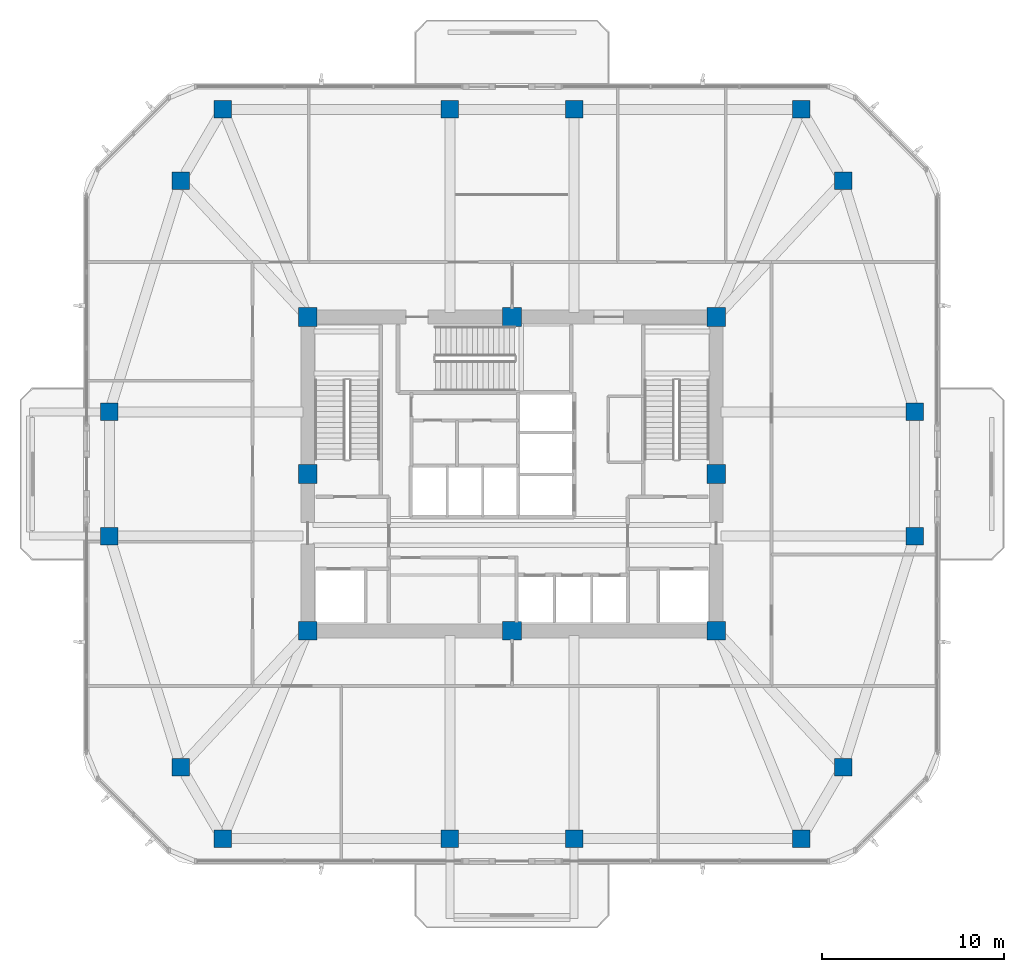
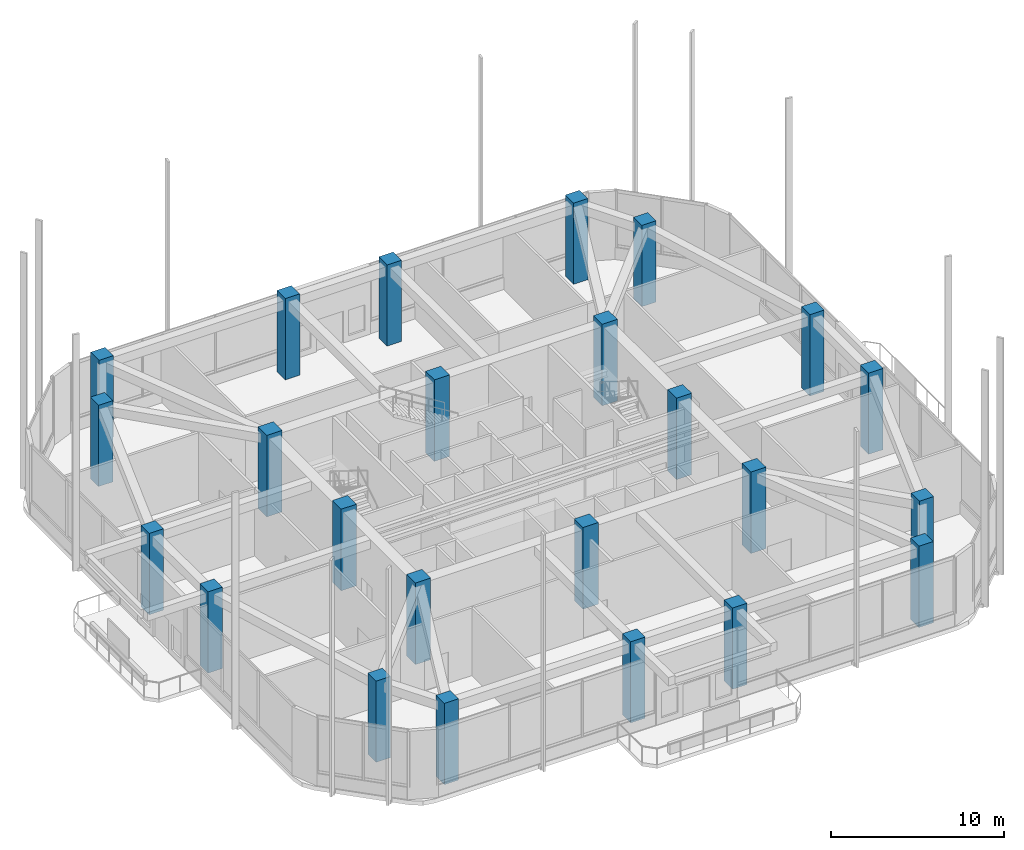
# One storey, part 1 of 12: 24 columns.
"""IFC4 building model written with IfcOpenShell, lengths in metres."""

from ifc_helpers import new_model, si_unit, derived_unit, direction, frame, origin, origin_2d, place, context, subcontext, project, spatial, rectangle, extrude, material, material_profile, profile_set, type_object, element, save


model = new_model("IFC4")

# Units and contexts
model_context = context("Model", 3, precision=1e-05, world=origin(), true_north=direction((0.0, 1.0)))
body_context = subcontext(model_context, "Body", "Model", "MODEL_VIEW")
ifc_project = project(units=[si_unit("LENGTHUNIT", "METRE"), si_unit("AREAUNIT", "SQUARE_METRE"), si_unit("VOLUMEUNIT", "CUBIC_METRE"), si_unit("PLANEANGLEUNIT", "RADIAN"), si_unit("MASSUNIT", "GRAM", prefix="KILO"), derived_unit("THERMALTRANSMITTANCEUNIT", [(si_unit("POWERUNIT", "WATT"), 1), (si_unit("LENGTHUNIT", "METRE"), -2), (si_unit("THERMODYNAMICTEMPERATUREUNIT", "KELVIN"), -1)])], contexts=[model_context])

# Site, building, storey
site_placement = place(None, origin())
site = spatial("IfcSite", under=ifc_project, at=site_placement, CompositionType="ELEMENT")
building_placement = place(site_placement, origin())
building = spatial("IfcBuilding", under=site, at=building_placement, Name="Koralith Skygarden Medical Center", CompositionType="ELEMENT")
storey_placement = place(building_placement, frame((0.0, 0.0, 129.06005859375)))
storey = spatial("IfcBuildingStorey", under=building, at=storey_placement, Name="L33", CompositionType="ELEMENT", Elevation=129.06005859375)

# Columns
ifc_material_1 = material(Name="Concrete C70/85", Category="concrete")
ifc_material_profile_1 = material_profile(ifc_material_1, rectangle(XDim=1.02001953125, YDim=1.02001953125, at=origin_2d()), Name="RC1020X1020")
ifc_profile_set_1 = profile_set([ifc_material_profile_1], Name="Concrete C70/85")
column_type_1 = type_object("IfcColumnType", Name="Core Mega-Column C70 RC1020", PredefinedType="COLUMN", material=ifc_profile_set_1)
for number, where, z_axis, x_axis, name in (
    (1, (25.800048828125, 17.300048828125, 0.0), (0.0, 0.0, 1.0), (1.0, 0.0, 0.0), "L33 Core Column CC-01"),
    (2, (37.0, 17.300048828125, 0.0), (0.0, 0.0, 1.0), (1.0, 0.0, 0.0), "L33 Core Column CC-02"),
    (3, (48.199951171875, 17.300048828125, 0.0), (0.0, 0.0, 1.0), (1.0, 0.0, 0.0), "L33 Core Column CC-03"),
    (4, (48.199951171875, 25.89990234375, 0.0), (0.0, 0.0, 1.0), (1.0, 0.0, 0.0), "L33 Core Column CC-04"),
    (5, (48.199951171875, 34.5, 0.0), (0.0, 0.0, 1.0), (1.0, 0.0, 0.0), "L33 Core Column CC-05"),
    (6, (37.0, 34.5, 0.0), (0.0, 0.0, 1.0), (1.0, 0.0, 0.0), "L33 Core Column CC-06"),
    (7, (25.800048828125, 34.5, 0.0), (0.0, 0.0, 1.0), (1.0, 0.0, 0.0), "L33 Core Column CC-07"),
    (8, (25.800048828125, 25.89990234375, 0.0), (0.0, 0.0, 1.0), (1.0, 0.0, 0.0), "L33 Core Column CC-08"),
):
    element("IfcColumn", number, at=place(storey_placement, frame(where, z_axis=z_axis, x_axis=x_axis)), inside=storey, type_object=column_type_1, Name=name, PredefinedType="COLUMN", context=body_context, shape_type="SweptSolid", body=[
        extrude(rectangle(XDim=1.02001953125, YDim=1.02001953125, at=origin_2d()), origin(), (0.0, 0.0, 1.0), 5.760009765625),
    ])
ifc_material_2 = material(Name="Concrete C55/67", Category="concrete")
ifc_material_profile_2 = material_profile(ifc_material_2, rectangle(XDim=0.9599609375, YDim=0.9599609375, at=origin_2d()), Name="RC960X960")
ifc_profile_set_2 = profile_set([ifc_material_profile_2], Name="Concrete C55/67")
column_type_2 = type_object("IfcColumnType", Name="Zone 3 Waist Mega-Column C55 RC960", PredefinedType="COLUMN", material=ifc_profile_set_2)
column_1_placement = place(storey_placement, frame((14.93603515625, 22.5, 0.02099609375), z_axis=(0.0, 0.0, 1.0), x_axis=(1.0, 0.0, 0.0)))
element("IfcColumn", 9, at=column_1_placement, inside=storey, type_object=column_type_2, Name="L33 Perimeter Mega-Column MC-01", PredefinedType="COLUMN", context=body_context, shape_type="SweptSolid", body=[
    extrude(rectangle(XDim=0.9599609375, YDim=0.9599609375, at=origin_2d()), origin(), (0.0, 0.0, 1.0), 5.739013671875),
])
for number, where, z_axis, x_axis, name in (
    (10, (18.85595703125, 9.840087890625, 0.0234375), (0.0, 0.0, 1.0), (1.0, 0.0, 0.0), "L33 Perimeter Mega-Column MC-02"),
    (11, (21.14794921875, 5.919921875, 0.0234375), (0.0, 0.0, 1.0), (1.0, 0.0, 0.0), "L33 Perimeter Mega-Column MC-03"),
):
    element("IfcColumn", number, at=place(storey_placement, frame(where, z_axis=z_axis, x_axis=x_axis)), inside=storey, type_object=column_type_2, Name=name, PredefinedType="COLUMN", context=body_context, shape_type="SweptSolid", body=[
        extrude(rectangle(XDim=0.9599609375, YDim=0.9599609375, at=origin_2d()), origin(), (0.0, 0.0, 1.0), 5.736572265625),
    ])
for number, where, z_axis, x_axis, name in (
    (12, (33.60009765625, 5.919921875, 0.02099609375), (0.0, 0.0, 1.0), (1.0, 0.0, 0.0), "L33 Perimeter Mega-Column MC-04"),
    (13, (40.39990234375, 5.919921875, 0.02099609375), (0.0, 0.0, 1.0), (1.0, 0.0, 0.0), "L33 Perimeter Mega-Column MC-05"),
):
    element("IfcColumn", number, at=place(storey_placement, frame(where, z_axis=z_axis, x_axis=x_axis)), inside=storey, type_object=column_type_2, Name=name, PredefinedType="COLUMN", context=body_context, shape_type="SweptSolid", body=[
        extrude(rectangle(XDim=0.9599609375, YDim=0.9599609375, at=origin_2d()), origin(), (0.0, 0.0, 1.0), 5.739013671875),
    ])
for number, where, z_axis, x_axis, name in (
    (14, (52.85205078125, 5.919921875, 0.0234375), (0.0, 0.0, 1.0), (1.0, 0.0, 0.0), "L33 Perimeter Mega-Column MC-06"),
    (15, (55.14404296875, 9.840087890625, 0.0234375), (0.0, 0.0, 1.0), (1.0, 0.0, 0.0), "L33 Perimeter Mega-Column MC-07"),
):
    element("IfcColumn", number, at=place(storey_placement, frame(where, z_axis=z_axis, x_axis=x_axis)), inside=storey, type_object=column_type_2, Name=name, PredefinedType="COLUMN", context=body_context, shape_type="SweptSolid", body=[
        extrude(rectangle(XDim=0.9599609375, YDim=0.9599609375, at=origin_2d()), origin(), (0.0, 0.0, 1.0), 5.736572265625),
    ])
for number, where, z_axis, x_axis, name in (
    (16, (59.06396484375, 22.5, 0.02099609375), (0.0, 0.0, 1.0), (1.0, 0.0, 0.0), "L33 Perimeter Mega-Column MC-08"),
    (17, (59.06396484375, 29.300048828125, 0.02099609375), (0.0, 0.0, 1.0), (1.0, 0.0, 0.0), "L33 Perimeter Mega-Column MC-09"),
):
    element("IfcColumn", number, at=place(storey_placement, frame(where, z_axis=z_axis, x_axis=x_axis)), inside=storey, type_object=column_type_2, Name=name, PredefinedType="COLUMN", context=body_context, shape_type="SweptSolid", body=[
        extrude(rectangle(XDim=0.9599609375, YDim=0.9599609375, at=origin_2d()), origin(), (0.0, 0.0, 1.0), 5.739013671875),
    ])
for number, where, z_axis, x_axis, name in (
    (18, (55.14404296875, 41.9599609375, 0.0234375), (0.0, 0.0, 1.0), (1.0, 0.0, 0.0), "L33 Perimeter Mega-Column MC-10"),
    (19, (52.85205078125, 45.8798828125, 0.0234375), (0.0, 0.0, 1.0), (1.0, 0.0, 0.0), "L33 Perimeter Mega-Column MC-11"),
):
    element("IfcColumn", number, at=place(storey_placement, frame(where, z_axis=z_axis, x_axis=x_axis)), inside=storey, type_object=column_type_2, Name=name, PredefinedType="COLUMN", context=body_context, shape_type="SweptSolid", body=[
        extrude(rectangle(XDim=0.9599609375, YDim=0.9599609375, at=origin_2d()), origin(), (0.0, 0.0, 1.0), 5.736572265625),
    ])
for number, where, z_axis, x_axis, name in (
    (20, (40.39990234375, 45.8798828125, 0.02099609375), (0.0, 0.0, 1.0), (1.0, 0.0, 0.0), "L33 Perimeter Mega-Column MC-12"),
    (21, (33.60009765625, 45.8798828125, 0.02099609375), (0.0, 0.0, 1.0), (1.0, 0.0, 0.0), "L33 Perimeter Mega-Column MC-13"),
):
    element("IfcColumn", number, at=place(storey_placement, frame(where, z_axis=z_axis, x_axis=x_axis)), inside=storey, type_object=column_type_2, Name=name, PredefinedType="COLUMN", context=body_context, shape_type="SweptSolid", body=[
        extrude(rectangle(XDim=0.9599609375, YDim=0.9599609375, at=origin_2d()), origin(), (0.0, 0.0, 1.0), 5.739013671875),
    ])
for number, where, z_axis, x_axis, name in (
    (22, (21.14794921875, 45.8798828125, 0.0234375), (0.0, 0.0, 1.0), (1.0, 0.0, 0.0), "L33 Perimeter Mega-Column MC-14"),
    (23, (18.85595703125, 41.9599609375, 0.0234375), (0.0, 0.0, 1.0), (1.0, 0.0, 0.0), "L33 Perimeter Mega-Column MC-15"),
):
    element("IfcColumn", number, at=place(storey_placement, frame(where, z_axis=z_axis, x_axis=x_axis)), inside=storey, type_object=column_type_2, Name=name, PredefinedType="COLUMN", context=body_context, shape_type="SweptSolid", body=[
        extrude(rectangle(XDim=0.9599609375, YDim=0.9599609375, at=origin_2d()), origin(), (0.0, 0.0, 1.0), 5.736572265625),
    ])
column_2_placement = place(storey_placement, frame((14.93603515625, 29.300048828125, 0.02099609375), z_axis=(0.0, 0.0, 1.0), x_axis=(1.0, 0.0, 0.0)))
element("IfcColumn", 24, at=column_2_placement, inside=storey, type_object=column_type_2, Name="L33 Perimeter Mega-Column MC-16", PredefinedType="COLUMN", context=body_context, shape_type="SweptSolid", body=[
    extrude(rectangle(XDim=0.9599609375, YDim=0.9599609375, at=origin_2d()), origin(), (0.0, 0.0, 1.0), 5.739013671875),
])

save(model, "model.ifc")
